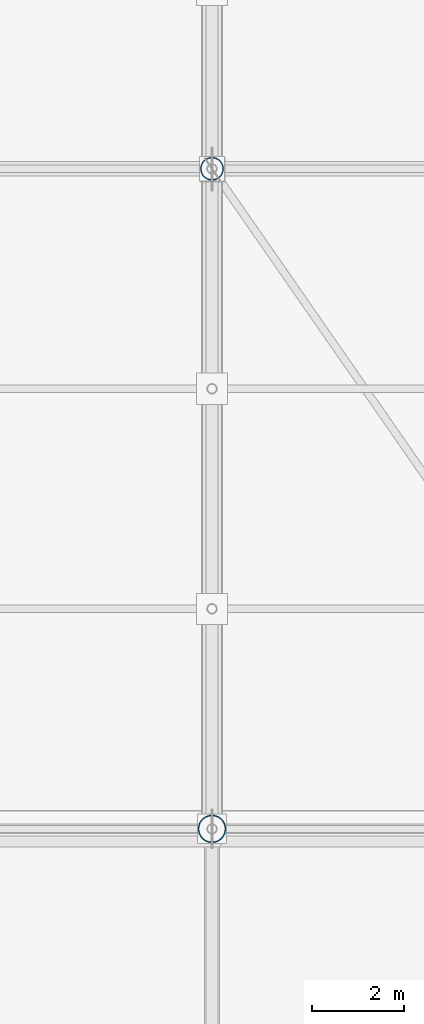
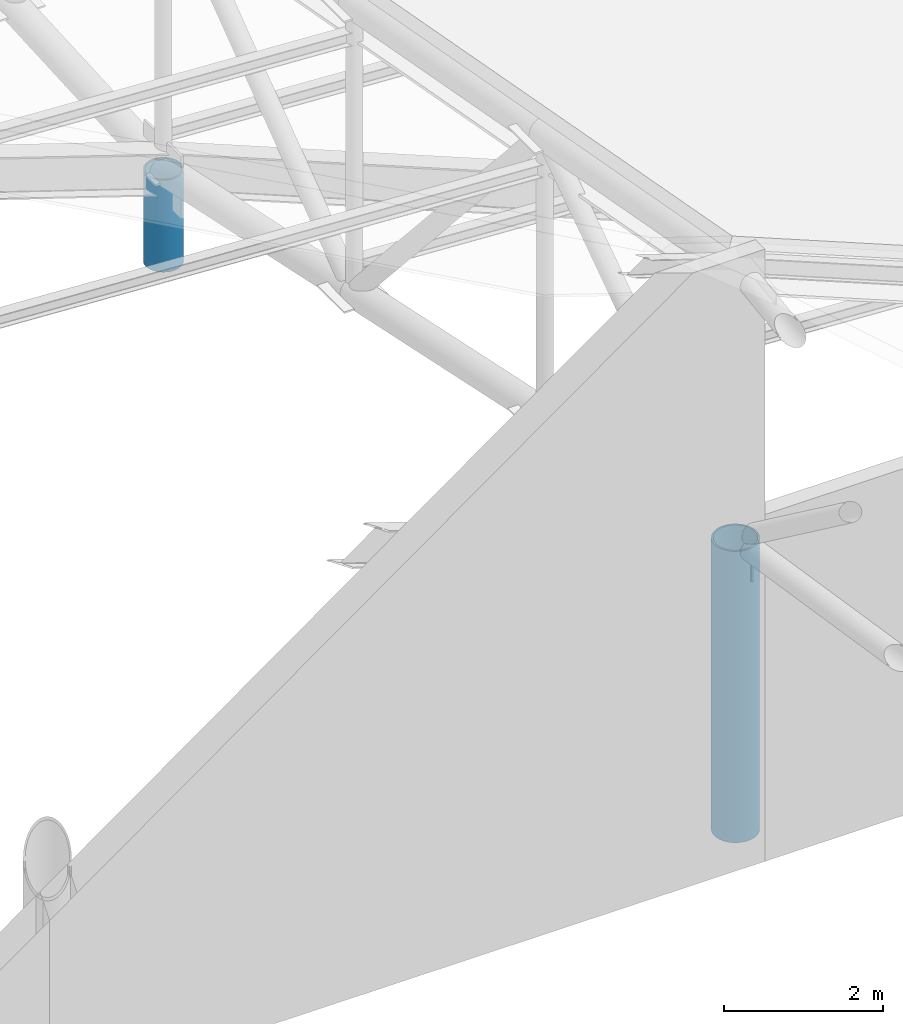
# One storey, part 4 of 146: 2 columns.
"""IFC4 building model written with IfcOpenShell, lengths in metres."""

from ifc_helpers import new_model, si_unit, direction, frame, origin, origin_2d, place, context, subcontext, project, spatial, hollow_circle, extrude, material, material_profile, profile_set, type_object, element, save


model = new_model("IFC4")

# Units and contexts
model_context = context("Model", 3, precision=1e-05, world=origin(), true_north=direction((0.0, 1.0)))
body_context = subcontext(model_context, "Body", "Model", "MODEL_VIEW")
ifc_project = project(units=[si_unit("LENGTHUNIT", "METRE"), si_unit("AREAUNIT", "SQUARE_METRE"), si_unit("VOLUMEUNIT", "CUBIC_METRE"), si_unit("PLANEANGLEUNIT", "RADIAN"), si_unit("MASSUNIT", "GRAM", prefix="KILO")], contexts=[model_context])

# Site, building, storey
site_placement = place(None, origin())
site = spatial("IfcSite", under=ifc_project, at=site_placement, CompositionType="ELEMENT")
building_placement = place(site_placement, origin())
building = spatial("IfcBuilding", under=site, at=building_placement, Name="Candeia Ridge Stadium", CompositionType="ELEMENT")
storey_placement = place(building_placement, frame((0.0, 0.0, 31.800048828125)))
storey = spatial("IfcBuildingStorey", under=building, at=storey_placement, Name="RF", CompositionType="ELEMENT", Elevation=31.800048828125)

# Columns
ifc_material = material(Name="Steel ASTM A572 Grade 50", Category="steel")
ifc_material_profile_1 = material_profile(ifc_material, hollow_circle(Radius=0.25390625, WallThickness=0.02197265625, at=origin_2d()), Name="CHS508x22", Category="steel")
ifc_profile_set_1 = profile_set([ifc_material_profile_1], Name="Steel ASTM A572 Grade 50")
column_type_1 = type_object("IfcColumnType", Name="Roof Inner Mast CHS508x22", PredefinedType="PILASTER", material=ifc_profile_set_1)
column_1_placement = place(storey_placement, frame((131.0, 33.39990234375, 0.0), z_axis=(0.0, 0.0, 1.0), x_axis=(1.0, 0.0, 0.0)))
element("IfcColumn", 1, at=column_1_placement, inside=storey, type_object=column_type_1, Name="Roof truss steel mast column BC-MD-24 RF", PredefinedType="PILASTER", context=body_context, shape_type="SweptSolid", body=[
    extrude(hollow_circle(Radius=0.25390625, WallThickness=0.02197265625, at=origin_2d()), origin(), (0.0, 0.0, 1.0), 1.41455078125),
])
ifc_material_profile_2 = material_profile(ifc_material, hollow_circle(Radius=0.304931640625, WallThickness=0.02490234375, at=origin_2d()), Name="CHS610x25", Category="steel")
ifc_profile_set_2 = profile_set([ifc_material_profile_2], Name="Steel ASTM A572 Grade 50")
column_type_2 = type_object("IfcColumnType", Name="Roof Mast Column CHS610x25", PredefinedType="PILASTER", material=ifc_profile_set_2)
column_2_placement = place(storey_placement, frame((131.0, 19.0, 0.0), z_axis=(0.0, 0.0, 1.0), x_axis=(1.0, 0.0, 0.0)))
element("IfcColumn", 2, at=column_2_placement, inside=storey, type_object=column_type_2, Name="Roof truss steel mast column BC-OU-24 RF", PredefinedType="PILASTER", context=body_context, shape_type="SweptSolid", body=[
    extrude(hollow_circle(Radius=0.304931640625, WallThickness=0.02490234375, at=origin_2d()), origin(), (0.0, 0.0, 1.0), 4.478515625),
])

save(model, "model.ifc")
